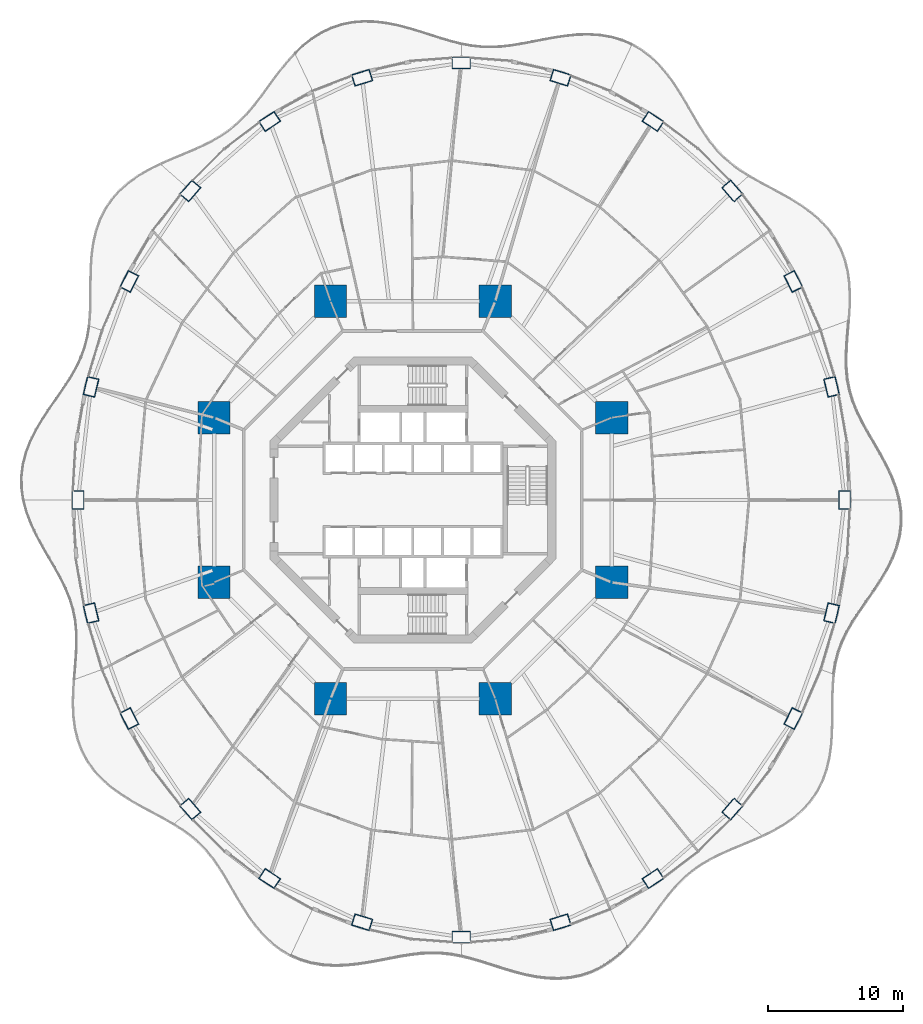
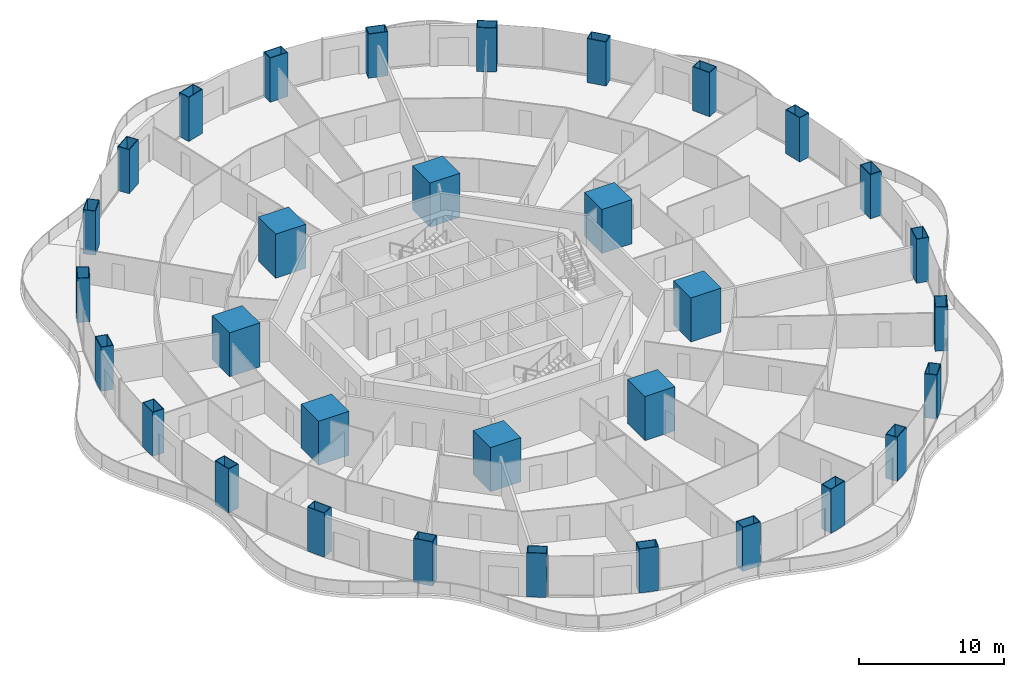
# One storey, part 1 of 22: 32 columns.
"""IFC4 building model written with IfcOpenShell, lengths in metres."""

from ifc_helpers import new_model, si_unit, direction, frame, origin, origin_2d, place, context, subcontext, project, spatial, rectangle, hollow_rectangle, extrude, material, material_profile, profile_set, type_object, element, save


model = new_model("IFC4")

# Units and contexts
model_context = context("Model", 3, precision=1e-05, world=origin(), true_north=direction((0.0, 1.0)))
body_context = subcontext(model_context, "Body", "Model", "MODEL_VIEW")
ifc_project = project(units=[si_unit("LENGTHUNIT", "METRE"), si_unit("AREAUNIT", "SQUARE_METRE"), si_unit("VOLUMEUNIT", "CUBIC_METRE"), si_unit("PLANEANGLEUNIT", "RADIAN"), si_unit("MASSUNIT", "GRAM", prefix="KILO")], contexts=[model_context])

# Site, building, storey
site_placement = place(None, origin())
site = spatial("IfcSite", under=ifc_project, at=site_placement, CompositionType="ELEMENT")
building_placement = place(site_placement, origin())
building = spatial("IfcBuilding", under=site, at=building_placement, Name="Nagisa Residences", CompositionType="ELEMENT")
storey_placement = place(building_placement, frame((0.0, 0.0, 34.39990234375)))
storey = spatial("IfcBuildingStorey", under=building, at=storey_placement, Name="L07", CompositionType="ELEMENT", Elevation=34.39990234375)

# Columns
ifc_material_1 = material(Name="Concrete C80", Category="concrete")
ifc_material_profile_1 = material_profile(ifc_material_1, rectangle(XDim=2.39990234375, YDim=2.39990234375, at=origin_2d()), Name="C80 2400x2400")
ifc_profile_set_1 = profile_set([ifc_material_profile_1], Name="Concrete C80")
column_type_1 = type_object("IfcColumnType", Name="Inner megacolumn C80 2400x2400", PredefinedType="COLUMN", material=ifc_profile_set_1)
for number, where, z_axis, x_axis, name in (
    (1, (14.781982421875, 6.123046875, 0.0), (0.0, 0.0, 1.0), (1.0, 0.0, 0.0), "col:L07:i1"),
    (2, (6.123046875, 14.781982421875, 0.0), (0.0, 0.0, 1.0), (1.0, 0.0, 0.0), "col:L07:i2"),
    (3, (-6.123046875, 14.781982421875, 0.0), (0.0, 0.0, 1.0), (1.0, 0.0, 0.0), "col:L07:i3"),
    (4, (-14.781982421875, 6.123046875, 0.0), (0.0, 0.0, 1.0), (1.0, 0.0, 0.0), "col:L07:i4"),
    (5, (-14.781982421875, -6.123046875, 0.0), (0.0, 0.0, 1.0), (1.0, 0.0, 0.0), "col:L07:i5"),
    (6, (-6.123046875, -14.781982421875, 0.0), (0.0, 0.0, 1.0), (1.0, 0.0, 0.0), "col:L07:i6"),
    (7, (6.123046875, -14.781982421875, 0.0), (0.0, 0.0, 1.0), (1.0, 0.0, 0.0), "col:L07:i7"),
    (8, (14.781982421875, -6.123046875, 0.0), (0.0, 0.0, 1.0), (1.0, 0.0, 0.0), "col:L07:i8"),
):
    element("IfcColumn", number, at=place(storey_placement, frame(where, z_axis=z_axis, x_axis=x_axis)), inside=storey, type_object=column_type_1, Name=name, PredefinedType="COLUMN", context=body_context, shape_type="SweptSolid", body=[
        extrude(rectangle(XDim=2.39990234375, YDim=2.39990234375, at=origin_2d()), origin(), (0.0, 0.0, 1.0), 3.7001953125),
    ])
ifc_material_2 = material(Name="Steel ASTM A572 Gr 50", Category="steel")
ifc_material_profile_2 = material_profile(ifc_material_2, hollow_rectangle(XDim=1.39990234375, YDim=0.89990234375, WallThickness=0.050048828125, at=origin_2d()), Name="BX 1400x900x50")
ifc_profile_set_2 = profile_set([ifc_material_profile_2], Name="Steel ASTM A572 Gr 50")
column_type_2 = type_object("IfcColumnType", Name="Perimeter column BX 1400x900x50", PredefinedType="COLUMN", material=ifc_profile_set_2)
for number, where, z_axis, x_axis, name in (
    (9, (32.10009765625, 0.0, 0.0), (0.0, 0.0, 1.0), (0.0, 1.0, 0.0), "col:L07:p00"),
    (10, (31.12890625, 8.41162109375, 0.0), (0.0, 0.0, 1.0), (-0.229202013103, 0.973378876486, 0.0), "col:L07:p01"),
    (11, (28.28173828125, 16.25, 0.0), (0.0, 0.0, 1.0), (-0.452462697578, 0.891783329795, 0.0), "col:L07:p02"),
    (12, (23.75244140625, 22.98095703125, 0.0), (0.0, 0.0, 1.0), (-0.660114607735, 0.751164898445, 0.0), "col:L07:p03"),
    (13, (17.85009765625, 28.145751953125, 0.0), (0.0, 0.0, 1.0), (-0.835766105673, 0.54908561865, 0.0), "col:L07:p04"),
    (14, (10.976318359375, 31.392578125, 0.0), (0.0, 0.0, 1.0), (-0.956524583408, 0.291651712384, 0.0), "col:L07:p05"),
    (15, (3.60009765625, 32.5, 0.0), (0.0, 0.0, 1.0), (-1.0, 0.0, 0.0), "col:L07:p06"),
    (16, (-3.7763671875, 31.392578125, 0.0), (0.0, 0.0, 1.0), (-0.956524583408, -0.291651712384, 0.0), "col:L07:p07"),
    (17, (-10.64990234375, 28.145751953125, 0.0), (0.0, 0.0, 1.0), (-0.835766105673, -0.54908561865, 0.0), "col:L07:p08"),
    (18, (-16.552490234375, 22.98095703125, 0.0), (0.0, 0.0, 1.0), (-0.660114607735, -0.751164898445, 0.0), "col:L07:p09"),
    (19, (-21.081787109375, 16.25, 0.0), (0.0, 0.0, 1.0), (-0.452462697578, -0.891783329795, 0.0), "col:L07:p10"),
    (20, (-23.928955078125, 8.41162109375, 0.0), (0.0, 0.0, 1.0), (-0.229202013103, -0.973378876486, 0.0), "col:L07:p11"),
    (21, (-24.89990234375, 0.0, 0.0), (0.0, 0.0, 1.0), (0.0, -1.0, 0.0), "col:L07:p12"),
    (22, (-23.928955078125, -8.41162109375, 0.0), (0.0, 0.0, 1.0), (0.229202013103, -0.973378876486, 0.0), "col:L07:p13"),
    (23, (-21.081787109375, -16.25, 0.0), (0.0, 0.0, 1.0), (0.452462697578, -0.891783329795, 0.0), "col:L07:p14"),
    (24, (-16.552490234375, -22.98095703125, 0.0), (0.0, 0.0, 1.0), (0.660114607735, -0.751164898445, 0.0), "col:L07:p15"),
    (25, (-10.64990234375, -28.145751953125, 0.0), (0.0, 0.0, 1.0), (0.835766105673, -0.54908561865, 0.0), "col:L07:p16"),
    (26, (-3.7763671875, -31.392578125, 0.0), (0.0, 0.0, 1.0), (0.956524583408, -0.291651712384, 0.0), "col:L07:p17"),
    (27, (3.60009765625, -32.5, 0.0), (0.0, 0.0, 1.0), (1.0, 0.0, 0.0), "col:L07:p18"),
    (28, (10.976318359375, -31.392578125, 0.0), (0.0, 0.0, 1.0), (0.956524583408, 0.291651712384, 0.0), "col:L07:p19"),
    (29, (17.85009765625, -28.145751953125, 0.0), (0.0, 0.0, 1.0), (0.835766105673, 0.54908561865, 0.0), "col:L07:p20"),
    (30, (23.75244140625, -22.98095703125, 0.0), (0.0, 0.0, 1.0), (0.660114607735, 0.751164898445, 0.0), "col:L07:p21"),
    (31, (28.28173828125, -16.25, 0.0), (0.0, 0.0, 1.0), (0.452462697578, 0.891783329795, 0.0), "col:L07:p22"),
    (32, (31.12890625, -8.41162109375, 0.0), (0.0, 0.0, 1.0), (0.229202013103, 0.973378876486, 0.0), "col:L07:p23"),
):
    element("IfcColumn", number, at=place(storey_placement, frame(where, z_axis=z_axis, x_axis=x_axis)), inside=storey, type_object=column_type_2, Name=name, PredefinedType="COLUMN", context=body_context, shape_type="SweptSolid", body=[
        extrude(hollow_rectangle(XDim=1.39990234375, YDim=0.89990234375, WallThickness=0.050048828125, at=origin_2d()), origin(), (0.0, 0.0, 1.0), 3.7001953125),
    ])

save(model, "model.ifc")
